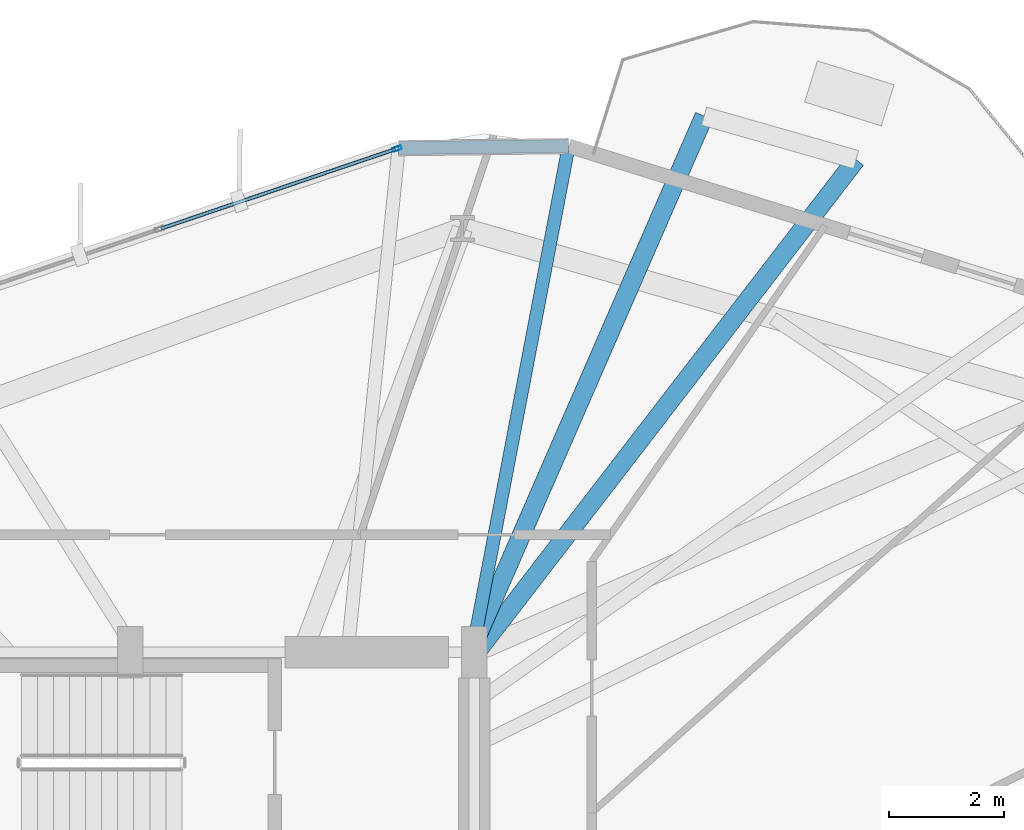
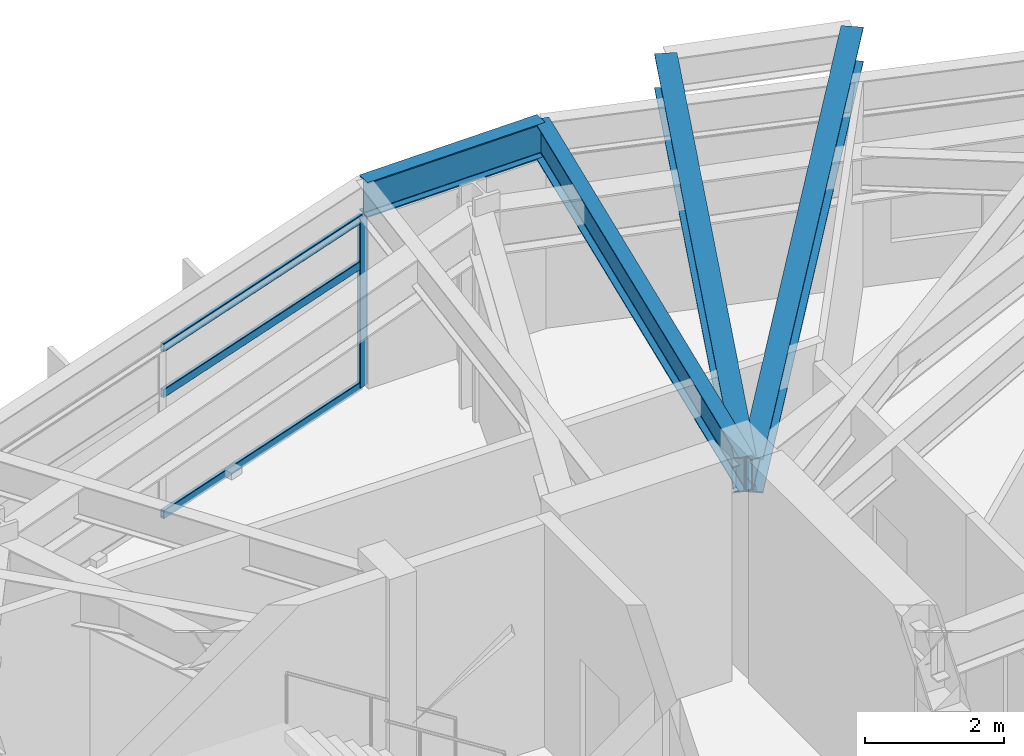
# One storey, part 16 of 25: 4 beams, 4 members, 1 element without a shape of its own.
"""IFC4 building model written with IfcOpenShell, lengths in metres."""

from ifc_helpers import new_model, si_unit, direction, frame, origin, origin_2d, place, context, subcontext, project, spatial, hollow_rectangle, i_section, extrude, material, layer, layer_set, material_profile, profile_set, type_object, element, aggregate, save


model = new_model("IFC4")

# Units and contexts
model_context = context("Model", 3, precision=1e-05, world=origin(), true_north=direction((0.0, 1.0)))
body_context = subcontext(model_context, "Body", "Model", "MODEL_VIEW")
ifc_project = project(units=[si_unit("LENGTHUNIT", "METRE"), si_unit("AREAUNIT", "SQUARE_METRE"), si_unit("VOLUMEUNIT", "CUBIC_METRE"), si_unit("PLANEANGLEUNIT", "RADIAN"), si_unit("MASSUNIT", "GRAM", prefix="KILO")], contexts=[model_context])

# Site, building, storey
site_placement = place(None, origin())
site = spatial("IfcSite", under=ifc_project, at=site_placement, CompositionType="ELEMENT")
building_placement = place(site_placement, origin())
building = spatial("IfcBuilding", under=site, at=building_placement, Name="Soratama Intermodal Tower", CompositionType="ELEMENT")
storey_placement = place(building_placement, frame((0.0, 0.0, 106.89990234375)))
storey = spatial("IfcBuildingStorey", under=building, at=storey_placement, Name="L25", CompositionType="ELEMENT", Elevation=106.89990234375)

# Beams
ifc_material_1 = material(Name="Structural steel ASTM A992 Grade 50", Category="steel")
ifc_material_profile_1 = material_profile(ifc_material_1, i_section(OverallWidth=0.324951171875, OverallDepth=0.615966796875, WebThickness=0.013916015625, FlangeThickness=0.021484375, FilletRadius=0.013916015625, at=origin_2d()), Name="W24X117")
ifc_profile_set_1 = profile_set([ifc_material_profile_1], Name="Structural steel ASTM A992 Grade 50")
beam_type_1 = type_object("IfcBeamType", Name="BM-CANT-W24X117", PredefinedType="BEAM", material=ifc_profile_set_1)
beam_1_placement = place(storey_placement, frame((44.6240234375, 34.97900390625, 3.2919921875), z_axis=(0.610278090526, 0.792187258307, 0.0), x_axis=(-0.792187258307, 0.610278090526, 0.0)))
element("IfcBeam", 1, at=beam_1_placement, inside=storey, type_object=beam_type_1, Name="BM-L25-CANT-1-1", PredefinedType="BEAM", context=body_context, shape_type="SweptSolid", body=[
    extrude(i_section(OverallWidth=0.324951171875, OverallDepth=0.615966796875, WebThickness=0.013916015625, FlangeThickness=0.021484375, FilletRadius=0.013916015625, at=origin_2d()), origin(), (0.0, 0.0, 1.0), 10.873779296875),
])
beam_2_placement = place(storey_placement, frame((44.547119140625, 35.037109375, 3.2919921875), z_axis=(0.399802817343, 0.916601171309, 0.0), x_axis=(-0.916601171309, 0.399802817343, 0.0)))
element("IfcBeam", 2, at=beam_2_placement, inside=storey, type_object=beam_type_1, Name="BM-L25-CANT-1-2", PredefinedType="BEAM", context=body_context, shape_type="SweptSolid", body=[
    extrude(i_section(OverallWidth=0.324951171875, OverallDepth=0.615966796875, WebThickness=0.013916015625, FlangeThickness=0.021484375, FilletRadius=0.013916015625, at=origin_2d()), origin(), (0.0, 0.0, 1.0), 10.16259765625),
])
ifc_material_2 = material(Name="Structural steel ASTM A992 Grade 50", Category="steel")
ifc_material_profile_2 = material_profile(ifc_material_2, i_section(OverallWidth=0.22900390625, OverallDepth=0.612060546875, WebThickness=0.011962890625, FlangeThickness=0.01953125, FilletRadius=0.012939453125, at=origin_2d()), Name="W24X84")
ifc_profile_set_2 = profile_set([ifc_material_profile_2], Name="Structural steel ASTM A992 Grade 50")
beam_type_2 = type_object("IfcBeamType", Name="BM-SPN-W24X84", PredefinedType="SPANDREL", material=ifc_profile_set_2)
beam_3_placement = place(storey_placement, frame((46.2470703125, 43.8310546875, 3.294189453125), z_axis=(-0.999921794151, -0.012506221732, 0.0), x_axis=(0.012506221732, -0.999921794151, 0.0)))
element("IfcBeam", 3, at=beam_3_placement, inside=storey, type_object=beam_type_2, Name="BS-L25-CRN02", PredefinedType="SPANDREL", context=body_context, shape_type="SweptSolid", body=[
    extrude(i_section(OverallWidth=0.22900390625, OverallDepth=0.612060546875, WebThickness=0.011962890625, FlangeThickness=0.01953125, FilletRadius=0.012939453125, at=origin_2d()), origin(), (0.0, 0.0, 1.0), 2.96728515625),
])
ifc_material_3 = material(Name="Structural steel ASTM A992 Grade 50", Category="steel")
ifc_material_profile_3 = material_profile(ifc_material_3, i_section(OverallWidth=0.22900390625, OverallDepth=0.612060546875, WebThickness=0.011962890625, FlangeThickness=0.01953125, FilletRadius=0.012939453125, at=origin_2d()), Name="W24X84")
ifc_profile_set_3 = profile_set([ifc_material_profile_3], Name="Structural steel ASTM A992 Grade 50")
beam_type_3 = type_object("IfcBeamType", Name="BM-TIE-W24X84", PredefinedType="BEAM", material=ifc_profile_set_3)
beam_4_placement = place(storey_placement, frame((44.571044921875, 35.0390625, 3.294189453125), z_axis=(0.187258758671, 0.982310621596, 0.0), x_axis=(-0.982310621596, 0.187258758671, 0.0)))
element("IfcBeam", 4, at=beam_4_placement, inside=storey, type_object=beam_type_3, Name="BM-L25-TIE1-02", PredefinedType="BEAM", context=body_context, shape_type="SweptSolid", body=[
    extrude(i_section(OverallWidth=0.22900390625, OverallDepth=0.612060546875, WebThickness=0.011962890625, FlangeThickness=0.01953125, FilletRadius=0.012939453125, at=origin_2d()), origin(), (0.0, 0.0, 1.0), 8.950439453125),
])

# Curtain wall, members
ifc_material_4 = material(Name="Double-glazed aluminium curtain wall", Category="aluminium")
ifc_layer = layer(ifc_material_4, 0.159912109375)
ifc_layer_set = layer_set([ifc_layer], Name="Double-glazed aluminium curtain wall")
curtain_wall_type = type_object("IfcCurtainWallType", Name="CW-SYS-3", PredefinedType="NOTDEFINED", material=ifc_layer_set)
curtain_wall_placement = place(storey_placement, origin())
curtain_wall = element("IfcCurtainWall", 5, at=curtain_wall_placement, inside=storey, type_object=curtain_wall_type, Name="L25 Faceted Curtain Wall F03", PredefinedType="NOTDEFINED")
ifc_material_5 = material(Name="Anodised aluminium AA 6063-T6", Category="aluminium")
ifc_material_profile_4 = material_profile(ifc_material_5, hollow_rectangle(XDim=0.070068359375, YDim=0.159912109375, WallThickness=0.0048828125, InnerFilletRadius=0.0048828125, OuterFilletRadius=0.010009765625, at=origin_2d()), Name="CWM160X70X5")
ifc_profile_set_4 = profile_set([ifc_material_profile_4], Name="Anodised aluminium AA 6063-T6")
member_type_1 = type_object("IfcMemberType", Name="MT-CWM-3", PredefinedType="MULLION", material=ifc_profile_set_4)
member_1_placement = place(storey_placement, frame((43.251953125, 43.78466796875, 0.0), z_axis=(0.0, 0.0, 1.0), x_axis=(0.320945371109, -0.94709770814, 0.0)))
member_1 = element("IfcMember", 6, at=member_1_placement, type_object=member_type_1, Name="CW-3 mullion 1", PredefinedType="MULLION", context=body_context, shape_type="SweptSolid", body=[
    extrude(hollow_rectangle(XDim=0.070068359375, YDim=0.159912109375, WallThickness=0.0048828125, InnerFilletRadius=0.0048828125, OuterFilletRadius=0.010009765625, at=origin_2d()), origin(), (0.0, 0.0, 1.0), 2.97900390625),
])
ifc_material_6 = material(Name="Anodised aluminium AA 6063-T6", Category="aluminium")
ifc_material_profile_5 = material_profile(ifc_material_6, hollow_rectangle(XDim=0.06494140625, YDim=0.14990234375, WallThickness=0.0048828125, InnerFilletRadius=0.0048828125, OuterFilletRadius=0.010009765625, at=origin_2d()), Name="CWT150X65X5")
ifc_profile_set_5 = profile_set([ifc_material_profile_5], Name="Anodised aluminium AA 6063-T6")
member_type_2 = type_object("IfcMemberType", Name="TT-CWT-1", PredefinedType="USERDEFINED", material=ifc_profile_set_5)
member_2_placement = place(storey_placement, frame((43.2236328125, 43.77490234375, 0.030029296875), z_axis=(-0.947103791512, -0.320927418746, 0.0), x_axis=(0.320927418746, -0.947103791512, 0.0)))
member_2 = element("IfcMember", 7, at=member_2_placement, type_object=member_type_2, Name="CW-3 transom 1.1", ObjectType="TRANSOM", PredefinedType="USERDEFINED", context=body_context, shape_type="SweptSolid", body=[
    extrude(hollow_rectangle(XDim=0.06494140625, YDim=0.14990234375, WallThickness=0.0048828125, InnerFilletRadius=0.0048828125, OuterFilletRadius=0.010009765625, at=origin_2d()), origin(), (0.0, 0.0, 1.0), 4.3134765625),
])
member_3_placement = place(storey_placement, frame((43.2236328125, 43.77490234375, 2.150146484375), z_axis=(-0.947103791512, -0.320927418746, 0.0), x_axis=(0.320927418746, -0.947103791512, 0.0)))
member_3 = element("IfcMember", 8, at=member_3_placement, type_object=member_type_2, Name="CW-3 transom 1.2", ObjectType="TRANSOM", PredefinedType="USERDEFINED", context=body_context, shape_type="SweptSolid", body=[
    extrude(hollow_rectangle(XDim=0.06494140625, YDim=0.14990234375, WallThickness=0.0048828125, InnerFilletRadius=0.0048828125, OuterFilletRadius=0.010009765625, at=origin_2d()), origin(), (0.0, 0.0, 1.0), 4.3134765625),
])
member_4_placement = place(storey_placement, frame((43.2236328125, 43.77490234375, 2.94921875), z_axis=(-0.947103791512, -0.320927418746, 0.0), x_axis=(0.320927418746, -0.947103791512, 0.0)))
member_4 = element("IfcMember", 9, at=member_4_placement, type_object=member_type_2, Name="CW-3 transom 1.3", ObjectType="TRANSOM", PredefinedType="USERDEFINED", context=body_context, shape_type="SweptSolid", body=[
    extrude(hollow_rectangle(XDim=0.06494140625, YDim=0.14990234375, WallThickness=0.0048828125, InnerFilletRadius=0.0048828125, OuterFilletRadius=0.010009765625, at=origin_2d()), origin(), (0.0, 0.0, 1.0), 4.3134765625),
])
aggregate(curtain_wall, [member_1, member_2, member_3, member_4])

save(model, "model.ifc")
